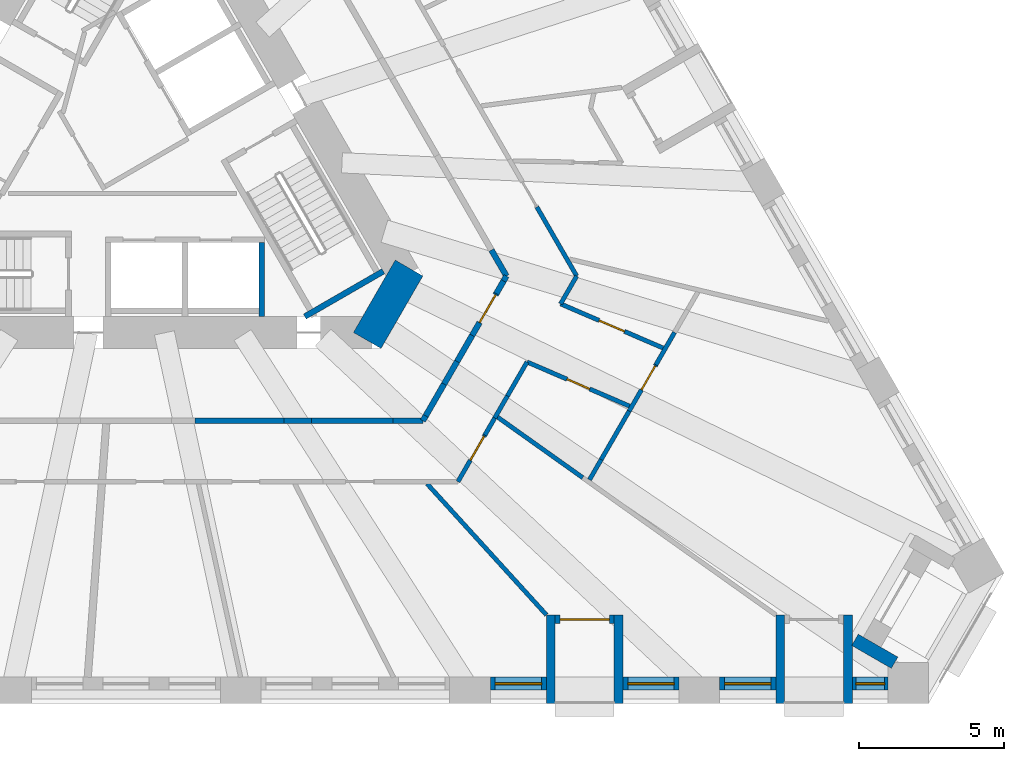
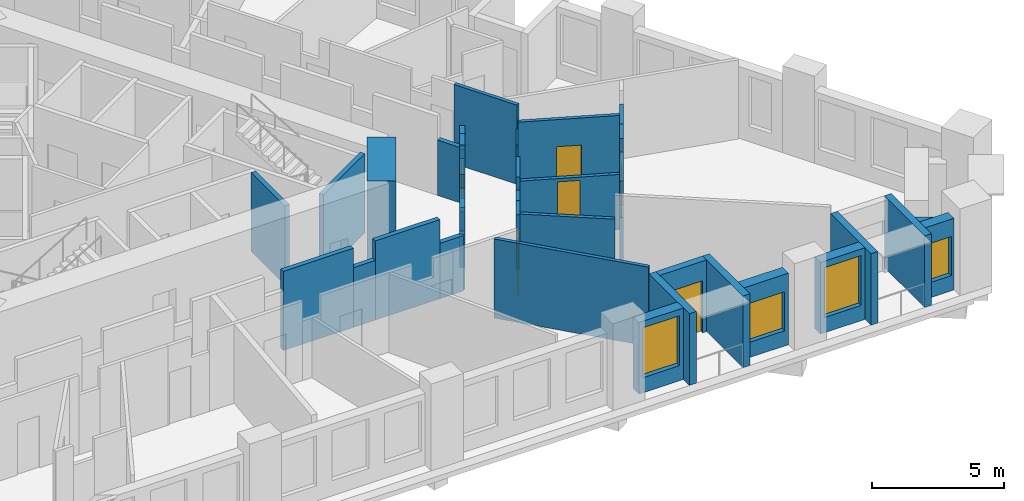
# One storey, part 6 of 14: 39 walls, 6 doors, 4 windows, 10 openings.
"""IFC4 building model written with IfcOpenShell, lengths in metres."""

from ifc_helpers import new_model, si_unit, direction, frame, frame_2d, origin, place, context, subcontext, project, spatial, polyline, rectangle, outline, extrude, material, layer, layer_set, type_object, element, fill, save


model = new_model("IFC4")

# Units and contexts
model_context = context("Model", 3, precision=1e-05, world=origin(), true_north=direction((0.0, 1.0)))
body_context = subcontext(model_context, "Body", "Model", "MODEL_VIEW")
ifc_project = project(units=[si_unit("LENGTHUNIT", "METRE"), si_unit("AREAUNIT", "SQUARE_METRE"), si_unit("VOLUMEUNIT", "CUBIC_METRE"), si_unit("PLANEANGLEUNIT", "RADIAN"), si_unit("MASSUNIT", "GRAM", prefix="KILO")], contexts=[model_context])

# Site, building, storey
site_placement = place(None, origin())
site = spatial("IfcSite", under=ifc_project, at=site_placement, CompositionType="ELEMENT")
building_placement = place(site_placement, origin())
building = spatial("IfcBuilding", under=site, at=building_placement, Name="Tramontana Tower", CompositionType="ELEMENT")
storey_placement = place(building_placement, frame((0.0, 0.0, 34.0)))
storey = spatial("IfcBuildingStorey", under=building, at=storey_placement, Name="L06", CompositionType="ELEMENT", Elevation=34.0)

# Walls
ifc_material_1 = material(Name="Concrete 70 MPa", Category="concrete")
ifc_layer_1 = layer(ifc_material_1, 1.10009765625)
ifc_layer_set_1 = layer_set([ifc_layer_1], Name="Core wall 1100 70 MPa")
wall_type_1 = type_object("IfcWallType", Name="Core wall 1100 70 MPa", PredefinedType="SHEAR", material=ifc_layer_set_1)
wall_1_placement = place(storey_placement, frame((8.328369140625, -6.47509765625, 0.0), z_axis=(0.0, 0.0, 1.0), x_axis=(0.499995765644, 0.866027848477, 0.0)))
element("IfcWall", 1, at=wall_1_placement, inside=storey, type_object=wall_type_1, Name="Core wall C4 L06", PredefinedType="SHEAR", context=body_context, shape_type="SweptSolid", body=[
    extrude(rectangle(XDim=2.88671875, YDim=1.10009765625, at=frame_2d((1.443359375, 0.0))), origin(), (0.0, 0.0, 1.0), 4.0),
])
ifc_material_2 = material(Name="Blockwork", Category="masonry")
ifc_layer_2 = layer(ifc_material_2, 0.199951171875)
ifc_layer_set_2 = layer_set([ifc_layer_2], Name="ENTRY WALL 200")
wall_type_2 = type_object("IfcWallType", Name="ENTRY WALL 200", PredefinedType="SOLIDWALL", material=ifc_layer_set_2)
wall_2_placement = place(storey_placement, frame((12.616943359375, -3.353515625, 0.0), z_axis=(0.0, 0.0, 1.0), x_axis=(0.500171514983, -0.865926356915, 0.0)))
element("IfcWall", 2, at=wall_2_placement, inside=storey, type_object=wall_type_2, Name="Wall v01-ew0-10", PredefinedType="SOLIDWALL", context=body_context, shape_type="SweptSolid", body=[
    extrude(rectangle(XDim=1.035400390625, YDim=0.199951171875, at=frame_2d((0.517578125, 0.0))), origin(), (0.0, 0.0, 1.0), 2.550048828125),
])
wall_3_placement = place(storey_placement, frame((13.134765625, -4.25, 0.0), z_axis=(0.0, 0.0, 1.0), x_axis=(-0.499865263774, -0.866103179807, 0.0)))
element("IfcWall", 3, at=wall_3_placement, inside=storey, type_object=wall_type_2, Name="Wall v01-ew1-0", PredefinedType="SOLIDWALL", context=body_context, shape_type="SweptSolid", body=[
    extrude(rectangle(XDim=0.197265625, YDim=0.199951171875, at=frame_2d((0.0986328125, 0.0))), origin(), (0.0, 0.0, 1.0), 2.550048828125),
])
wall_4_placement = place(storey_placement, frame((13.0361328125, -4.4208984375, 0.0), z_axis=(0.0, 0.0, 1.0), x_axis=(-0.499931517724, -0.866064938435, 0.0)))
element("IfcWall", 4, at=wall_4_placement, inside=storey, type_object=wall_type_2, Name="Wall v01-ew1-1", PredefinedType="SOLIDWALL", context=body_context, shape_type="SweptSolid", body=[
    extrude(rectangle(XDim=0.50537109375, YDim=0.199951171875, at=frame_2d((0.252685546875, 0.0))), origin(), (0.0, 0.0, 1.0), 3.64990234375),
])

# Wall, opening, door
wall_5_placement = place(storey_placement, frame((11.951416015625, -6.29931640625, 0.0), z_axis=(0.0, 0.0, 1.0), x_axis=(0.50011622646, 0.865958290007, 0.0)))
wall_5 = element("IfcWall", 5, at=wall_5_placement, inside=storey, type_object=wall_type_2, Name="Wall v01-ew1-2", PredefinedType="SOLIDWALL", context=body_context, shape_type="SweptSolid", body=[
    extrude(outline(polyline([(0.0, 0.0), (1.66357421875, 0.0), (1.663818359375, 3.64990234375), (0.90234375, 3.64990234375), (0.90234375, 2.550048828125), (0.0, 2.550048828125), (0.0, 0.0)])), frame((0.0, 0.10009765625, 0.0), z_axis=(0.0, -1.0, 0.0), x_axis=(1.0, 0.0, 0.0)), (0.0, 0.0, 1.0), 0.199951171875),
])
opening_1_placement = place(wall_5_placement, frame((0.513671875, 0.0, 0.0)))
opening_1 = element("IfcOpeningElement", 6, at=opening_1_placement, cuts=wall_5, Name="Opening B0B-36", PredefinedType="OPENING", context=body_context, shape_type="SweptSolid", body=[
    extrude(rectangle(XDim=1.10009765625, YDim=2.39990234375, at=frame_2d((0.550048828125, 1.199951171875))), frame((0.0, 0.10986328125, 0.0), z_axis=(0.0, -1.0, 0.0), x_axis=(1.0, 0.0, 0.0)), (0.0, 0.0, 1.0), 0.219970703125),
])
ifc_material_3 = material(Name="Painted timber", Category="wood")
door_type_1 = type_object("IfcDoorType", Name="DOOR ENTRY 1100", OperationType="SINGLE_SWING_LEFT", PredefinedType="DOOR", material=ifc_material_3)
door_1_placement = place(opening_1_placement, origin())
door_1 = element("IfcDoor", 7, at=door_1_placement, inside=storey, type_object=door_type_1, Name="Door B0B-36", OperationType="SINGLE_SWING_RIGHT", OverallHeight=2.39990234375, OverallWidth=1.10009765625, PredefinedType="DOOR", context=body_context, shape_type="SweptSolid", body=[
    extrude(rectangle(XDim=1.10009765625, YDim=2.39990234375, at=frame_2d((0.550048828125, 1.199951171875))), frame((0.0, 0.02490234375, 0.0), z_axis=(0.0, -1.0, 0.0), x_axis=(1.0, 0.0, 0.0)), (0.0, 0.0, 1.0), 0.050048828125),
])
fill(opening_1, door_1)

# Walls
wall_6_placement = place(storey_placement, frame((11.951416015625, -6.29931640625, 0.0), z_axis=(0.0, 0.0, 1.0), x_axis=(-0.499898446243, -0.866084027935, 0.0)))
element("IfcWall", 8, at=wall_6_placement, inside=storey, type_object=wall_type_2, Name="Wall v01-ew1-3", PredefinedType="SOLIDWALL", context=body_context, shape_type="SweptSolid", body=[
    extrude(rectangle(XDim=1.040771484375, YDim=0.199951171875, at=frame_2d((0.5205078125, 0.0))), origin(), (0.0, 0.0, 1.0), 3.64990234375),
])
wall_7_placement = place(storey_placement, frame((11.43115234375, -7.20068359375, 0.0), z_axis=(0.0, 0.0, 1.0), x_axis=(-0.500097243556, -0.865969252911, 0.0)))
element("IfcWall", 9, at=wall_7_placement, inside=storey, type_object=wall_type_2, Name="Wall v01-ew1-4", PredefinedType="SOLIDWALL", context=body_context, shape_type="SweptSolid", body=[
    extrude(rectangle(XDim=0.902099609375, YDim=0.199951171875, at=frame_2d((0.451171875, 0.0))), origin(), (0.0, 0.0, 1.0), 2.550048828125),
])
wall_8_placement = place(storey_placement, frame((10.97998046875, -7.98193359375, 0.0), z_axis=(0.0, 0.0, 1.0), x_axis=(-0.499911523785, -0.866076479525, 0.0)))
element("IfcWall", 10, at=wall_8_placement, inside=storey, type_object=wall_type_2, Name="Wall v01-ew1-5", PredefinedType="SOLIDWALL", context=body_context, shape_type="SweptSolid", body=[
    extrude(rectangle(XDim=1.266845703125, YDim=0.199951171875, at=frame_2d((0.63330078125, 0.0))), origin(), (0.0, 0.0, 1.0), 3.64990234375),
])
wall_9_placement = place(storey_placement, frame((10.3466796875, -9.0791015625, 0.0), z_axis=(0.0, 0.0, 1.0), x_axis=(-0.499865263774, -0.866103179807, 0.0)))
element("IfcWall", 11, at=wall_9_placement, inside=storey, type_object=wall_type_2, Name="Wall v01-ew1-6", PredefinedType="SOLIDWALL", context=body_context, shape_type="SweptSolid", body=[
    extrude(rectangle(XDim=0.197265625, YDim=0.199951171875, at=frame_2d((0.0986328125, 0.0))), origin(), (0.0, 0.0, 1.0), 2.550048828125),
])
wall_10_placement = place(storey_placement, frame((10.248046875, -9.25, 0.0), z_axis=(0.0, 0.0, 1.0), x_axis=(-1.0, 0.0, 0.0)))
element("IfcWall", 12, at=wall_10_placement, inside=storey, type_object=wall_type_2, Name="Wall v01-ew2-0", PredefinedType="SOLIDWALL", context=body_context, shape_type="SweptSolid", body=[
    extrude(rectangle(XDim=1.035400390625, YDim=0.199951171875, at=frame_2d((0.517578125, 0.0))), origin(), (0.0, 0.0, 1.0), 2.550048828125),
])
wall_11_placement = place(storey_placement, frame((9.212646484375, -9.25, 0.0), z_axis=(0.0, 0.0, 1.0), x_axis=(-1.0, 0.0, 0.0)))
element("IfcWall", 13, at=wall_11_placement, inside=storey, type_object=wall_type_2, Name="Wall v01-ew2-1", PredefinedType="SOLIDWALL", context=body_context, shape_type="SweptSolid", body=[
    extrude(rectangle(XDim=2.815185546875, YDim=0.199951171875, at=frame_2d((1.40771484375, 0.0))), origin(), (0.0, 0.0, 1.0), 3.64990234375),
])
wall_12_placement = place(storey_placement, frame((6.3974609375, -9.25, 0.0), z_axis=(0.0, 0.0, 1.0), x_axis=(-1.0, 0.0, 0.0)))
element("IfcWall", 14, at=wall_12_placement, inside=storey, type_object=wall_type_2, Name="Wall v01-ew2-2", PredefinedType="SOLIDWALL", context=body_context, shape_type="SweptSolid", body=[
    extrude(rectangle(XDim=0.949951171875, YDim=0.199951171875, at=frame_2d((0.47509765625, 0.0))), origin(), (0.0, 0.0, 1.0), 2.75),
])
wall_13_placement = place(storey_placement, frame((5.447509765625, -9.25, 0.0), z_axis=(0.0, 0.0, 1.0), x_axis=(-1.0, 0.0, 0.0)))
element("IfcWall", 15, at=wall_13_placement, inside=storey, type_object=wall_type_2, Name="Wall v01-ew2-3", PredefinedType="SOLIDWALL", context=body_context, shape_type="SweptSolid", body=[
    extrude(rectangle(XDim=3.064453125, YDim=0.199951171875, at=frame_2d((1.5322265625, 0.0))), origin(), (0.0, 0.0, 1.0), 3.64990234375),
])

# Wall, opening, window
ifc_material_4 = material(Name="Precast concrete 60 MPa", Category="concrete")
ifc_layer_3 = layer(ifc_material_4, 0.449951171875)
ifc_layer_set_3 = layer_set([ifc_layer_3], Name="Precast concrete 60 MPa, 450 mm")
wall_type_3 = type_object("IfcWallType", Name="EW1 Stone-faced precast wall 450", PredefinedType="SOLIDWALL", material=ifc_layer_set_3)
wall_14_placement = place(storey_placement, frame((12.576904296875, -18.324951171875, 0.0), z_axis=(0.0, 0.0, 1.0), x_axis=(1.0, 0.0, 0.0)))
wall_14 = element("IfcWall", 16, at=wall_14_placement, inside=storey, type_object=wall_type_3, Name="External wall L06 face 1 bay 6", PredefinedType="SOLIDWALL", context=body_context, shape_type="SweptSolid", body=[
    extrude(rectangle(XDim=1.939208984375, YDim=0.449951171875, at=frame_2d((0.9697265625, 0.0))), origin(), (0.0, 0.0, 1.0), 3.300048828125),
])
opening_2_placement = place(wall_14_placement, frame((0.169677734375, 0.0, 0.699951171875)))
opening_2 = element("IfcOpeningElement", 17, at=opening_2_placement, cuts=wall_14, Name="Opening M1", PredefinedType="OPENING", context=body_context, shape_type="SweptSolid", body=[
    extrude(rectangle(XDim=1.60009765625, YDim=2.300048828125, at=frame_2d((0.800048828125, 1.14990234375))), frame((0.0, 0.23486328125, 0.0), z_axis=(0.0, -1.0, 0.0), x_axis=(1.0, 0.0, 0.0)), (0.0, 0.0, 1.0), 0.469970703125),
])
ifc_material_5 = material(Name="Aluminum frame, double glazing unit", Category="aluminium")
window_type_1 = type_object("IfcWindowType", Name="M1 Window 1.6 x 2.3", PartitioningType="SINGLE_PANEL", PredefinedType="WINDOW", material=ifc_material_5)
window_1_placement = place(opening_2_placement, origin())
window_1 = element("IfcWindow", 18, at=window_1_placement, inside=storey, type_object=window_type_1, Name="Window M1 L06 face 1 module 16", OverallHeight=2.300048828125, OverallWidth=1.60009765625, PartitioningType="SINGLE_PANEL", PredefinedType="WINDOW", context=body_context, shape_type="SweptSolid", body=[
    extrude(rectangle(XDim=1.60009765625, YDim=2.300048828125, at=frame_2d((0.800048828125, 1.14990234375))), frame((0.0, 0.030029296875, 0.0), z_axis=(0.0, -1.0, 0.0), x_axis=(1.0, 0.0, 0.0)), (0.0, 0.0, 1.0), 0.06005859375),
])
fill(opening_2, window_1)

wall_15_placement = place(storey_placement, frame((17.155517578125, -18.324951171875, 0.0), z_axis=(0.0, 0.0, 1.0), x_axis=(1.0, 0.0, 0.0)))
wall_15 = element("IfcWall", 19, at=wall_15_placement, inside=storey, type_object=wall_type_3, Name="External wall L06 face 1 bay 6", PredefinedType="SOLIDWALL", context=body_context, shape_type="SweptSolid", body=[
    extrude(rectangle(XDim=1.939453125, YDim=0.449951171875, at=frame_2d((0.9697265625, 0.0))), origin(), (0.0, 0.0, 1.0), 3.300048828125),
])
opening_3_placement = place(wall_15_placement, frame((0.169677734375, 0.0, 0.699951171875)))
opening_3 = element("IfcOpeningElement", 20, at=opening_3_placement, cuts=wall_15, Name="Opening M1L", PredefinedType="OPENING", context=body_context, shape_type="SweptSolid", body=[
    extrude(rectangle(XDim=1.60009765625, YDim=1.800048828125, at=frame_2d((0.800048828125, 0.89990234375))), frame((0.0, 0.23486328125, 0.0), z_axis=(0.0, -1.0, 0.0), x_axis=(1.0, 0.0, 0.0)), (0.0, 0.0, 1.0), 0.469970703125),
])
ifc_material_6 = material(Name="Aluminum frame, double glazing unit", Category="aluminium")
window_type_2 = type_object("IfcWindowType", Name="M1L Window 1.6 x 1.8", PartitioningType="SINGLE_PANEL", PredefinedType="WINDOW", material=ifc_material_6)
window_2_placement = place(opening_3_placement, origin())
window_2 = element("IfcWindow", 21, at=window_2_placement, inside=storey, type_object=window_type_2, Name="Window M1L L06 face 1 module 18", OverallHeight=1.800048828125, OverallWidth=1.60009765625, PartitioningType="SINGLE_PANEL", PredefinedType="WINDOW", context=body_context, shape_type="SweptSolid", body=[
    extrude(rectangle(XDim=1.60009765625, YDim=1.800048828125, at=frame_2d((0.800048828125, 0.89990234375))), frame((0.0, 0.030029296875, 0.0), z_axis=(0.0, -1.0, 0.0), x_axis=(1.0, 0.0, 0.0)), (0.0, 0.0, 1.0), 0.06005859375),
])
fill(opening_3, window_2)

wall_16_placement = place(storey_placement, frame((20.494873046875, -18.324951171875, 0.0), z_axis=(0.0, 0.0, 1.0), x_axis=(1.0, 0.0, 0.0)))
wall_16 = element("IfcWall", 22, at=wall_16_placement, inside=storey, type_object=wall_type_3, Name="External wall L06 face 1 bay 7", PredefinedType="SOLIDWALL", context=body_context, shape_type="SweptSolid", body=[
    extrude(rectangle(XDim=1.939208984375, YDim=0.449951171875, at=frame_2d((0.9697265625, 0.0))), origin(), (0.0, 0.0, 1.0), 3.300048828125),
])
opening_4_placement = place(wall_16_placement, frame((0.169677734375, 0.0, 0.699951171875)))
opening_4 = element("IfcOpeningElement", 23, at=opening_4_placement, cuts=wall_16, Name="Opening M1", PredefinedType="OPENING", context=body_context, shape_type="SweptSolid", body=[
    extrude(rectangle(XDim=1.60009765625, YDim=2.300048828125, at=frame_2d((0.800048828125, 1.14990234375))), frame((0.0, 0.23486328125, 0.0), z_axis=(0.0, -1.0, 0.0), x_axis=(1.0, 0.0, 0.0)), (0.0, 0.0, 1.0), 0.469970703125),
])
window_3_placement = place(opening_4_placement, origin())
window_3 = element("IfcWindow", 24, at=window_3_placement, inside=storey, type_object=window_type_1, Name="Window M1 L06 face 1 module 19", OverallHeight=2.300048828125, OverallWidth=1.60009765625, PartitioningType="SINGLE_PANEL", PredefinedType="WINDOW", context=body_context, shape_type="SweptSolid", body=[
    extrude(rectangle(XDim=1.60009765625, YDim=2.300048828125, at=frame_2d((0.800048828125, 1.14990234375))), frame((0.0, 0.030029296875, 0.0), z_axis=(0.0, -1.0, 0.0), x_axis=(1.0, 0.0, 0.0)), (0.0, 0.0, 1.0), 0.06005859375),
])
fill(opening_4, window_3)

wall_17_placement = place(storey_placement, frame((25.073486328125, -18.324951171875, 0.0), z_axis=(0.0, 0.0, 1.0), x_axis=(1.0, 0.0, 0.0)))
wall_17 = element("IfcWall", 25, at=wall_17_placement, inside=storey, type_object=wall_type_3, Name="External wall L06 face 1 bay 7", PredefinedType="SOLIDWALL", context=body_context, shape_type="SweptSolid", body=[
    extrude(rectangle(XDim=1.2392578125, YDim=0.449951171875, at=frame_2d((0.61962890625, 0.0))), origin(), (0.0, 0.0, 1.0), 3.300048828125),
])
opening_5_placement = place(wall_17_placement, frame((0.11962890625, 0.0, 0.699951171875)))
opening_5 = element("IfcOpeningElement", 26, at=opening_5_placement, cuts=wall_17, Name="Opening N1L", PredefinedType="OPENING", context=body_context, shape_type="SweptSolid", body=[
    extrude(rectangle(XDim=1.0, YDim=1.800048828125, at=frame_2d((0.5, 0.89990234375))), frame((0.0, 0.23486328125, 0.0), z_axis=(0.0, -1.0, 0.0), x_axis=(1.0, 0.0, 0.0)), (0.0, 0.0, 1.0), 0.469970703125),
])
ifc_material_7 = material(Name="Aluminum frame, double glazing unit", Category="aluminium")
window_type_3 = type_object("IfcWindowType", Name="N1L Window 1 x 1.8", PartitioningType="SINGLE_PANEL", PredefinedType="WINDOW", material=ifc_material_7)
window_4_placement = place(opening_5_placement, origin())
window_4 = element("IfcWindow", 27, at=window_4_placement, inside=storey, type_object=window_type_3, Name="Window N1L L06 face 1 module 21", OverallHeight=1.800048828125, OverallWidth=1.0, PartitioningType="SINGLE_PANEL", PredefinedType="WINDOW", context=body_context, shape_type="SweptSolid", body=[
    extrude(rectangle(XDim=1.0, YDim=1.800048828125, at=frame_2d((0.5, 0.89990234375))), frame((0.0, 0.030029296875, 0.0), z_axis=(0.0, -1.0, 0.0), x_axis=(1.0, 0.0, 0.0)), (0.0, 0.0, 1.0), 0.06005859375),
])
fill(opening_5, window_4)

# Wall
wall_18_placement = place(storey_placement, frame((26.5341796875, -17.60009765625, 0.0), z_axis=(0.0, 0.0, 1.0), x_axis=(-0.86597962928, 0.500079275387, 0.0)))
element("IfcWall", 28, at=wall_18_placement, inside=storey, type_object=wall_type_3, Name="Corner loggia side wall L06 K02r", PredefinedType="SOLIDWALL", context=body_context, shape_type="SweptSolid", body=[
    extrude(rectangle(XDim=1.579345703125, YDim=0.449951171875, at=frame_2d((0.78955078125, 0.0))), origin(), (0.0, 0.0, 1.0), 2.550048828125),
])

# Wall, opening, door
ifc_material_8 = material(Name="Precast concrete 60 MPa", Category="concrete")
ifc_layer_4 = layer(ifc_material_8, 0.300048828125)
ifc_layer_set_4 = layer_set([ifc_layer_4], Name="LW1 Stone-faced loggia wall 300")
wall_type_4 = type_object("IfcWallType", Name="LW1 Stone-faced loggia wall 300", PredefinedType="SOLIDWALL", material=ifc_layer_set_4)
wall_19_placement = place(storey_placement, frame((14.816162109375, -16.10009765625, 0.0), z_axis=(0.0, 0.0, 1.0), x_axis=(1.0, 0.0, 0.0)))
wall_19 = element("IfcWall", 29, at=wall_19_placement, inside=storey, type_object=wall_type_4, Name="Loggia wall L06 G0S1.16", PredefinedType="SOLIDWALL", context=body_context, shape_type="SweptSolid", body=[
    extrude(rectangle(XDim=2.039306640625, YDim=0.300048828125, at=frame_2d((1.01953125, 0.0))), origin(), (0.0, 0.0, 1.0), 3.300048828125),
])
opening_6_placement = place(wall_19_placement, frame((0.169677734375, 0.0, 0.0)))
opening_6 = element("IfcOpeningElement", 30, at=opening_6_placement, cuts=wall_19, Name="Opening BD-0S1-16", PredefinedType="OPENING", context=body_context, shape_type="SweptSolid", body=[
    extrude(rectangle(XDim=1.699951171875, YDim=2.39990234375, at=frame_2d((0.85009765625, 1.199951171875))), frame((0.0, 0.159912109375, 0.0), z_axis=(0.0, -1.0, 0.0), x_axis=(1.0, 0.0, 0.0)), (0.0, 0.0, 1.0), 0.320068359375),
])
ifc_material_9 = material(Name="Aluminum frame, double glazing unit", Category="aluminium")
door_type_2 = type_object("IfcDoorType", Name="BD1 Sliding door 1.7 x 2.4", OperationType="SLIDING_TO_LEFT", PredefinedType="DOOR", material=ifc_material_9)
door_2_placement = place(opening_6_placement, origin())
door_2 = element("IfcDoor", 31, at=door_2_placement, inside=storey, type_object=door_type_2, Name="Loggia door L06 G0S1.16", OperationType="SLIDING_TO_LEFT", OverallHeight=2.39990234375, OverallWidth=1.699951171875, PredefinedType="DOOR", context=body_context, shape_type="SweptSolid", body=[
    extrude(rectangle(XDim=1.699951171875, YDim=2.39990234375, at=frame_2d((0.85009765625, 1.199951171875))), frame((0.0, 0.02490234375, 0.0), z_axis=(0.0, -1.0, 0.0), x_axis=(1.0, 0.0, 0.0)), (0.0, 0.0, 1.0), 0.050048828125),
])
fill(opening_6, door_2)

# Walls
for number, where, z_axis, x_axis, name in (
    (32, (14.666259765625, -19.0, 0.0), (0.0, 0.0, 1.0), (0.0, 1.0, 0.0), "Loggia return L06 G0S1.16a"),
    (33, (17.005615234375, -19.0, 0.0), (0.0, 0.0, 1.0), (0.0, 1.0, 0.0), "Loggia return L06 G0S1.16b"),
    (34, (22.584228515625, -19.0, 0.0), (0.0, 0.0, 1.0), (0.0, 1.0, 0.0), "Loggia return L06 G0S1.19a"),
    (35, (24.923583984375, -19.0, 0.0), (0.0, 0.0, 1.0), (0.0, 1.0, 0.0), "Loggia return L06 G0S1.19b"),
):
    element("IfcWall", number, at=place(storey_placement, frame(where, z_axis=z_axis, x_axis=x_axis)), inside=storey, type_object=wall_type_4, Name=name, PredefinedType="SOLIDWALL", context=body_context, shape_type="SweptSolid", body=[
        extrude(rectangle(XDim=3.050048828125, YDim=0.300048828125, at=frame_2d((1.52490234375, 0.0))), origin(), (0.0, 0.0, 1.0), 3.300048828125),
    ])
ifc_material_10 = material(Name="Gypsum board partition")
ifc_layer_5 = layer(ifc_material_10, 0.14990234375)
ifc_layer_set_5 = layer_set([ifc_layer_5], Name="PARTITION 150")
wall_type_5 = type_object("IfcWallType", Name="PARTITION 150", PredefinedType="PARTITIONING", material=ifc_layer_set_5)
wall_20_placement = place(storey_placement, frame((14.18408203125, -1.86767578125, 0.0), z_axis=(0.0, 0.0, 1.0), x_axis=(0.500014382217, -0.866017100048, 0.0)))
element("IfcWall", 36, at=wall_20_placement, inside=storey, type_object=wall_type_5, Name="Wall v01-pw35-8", PredefinedType="PARTITIONING", context=body_context, shape_type="SweptSolid", body=[
    extrude(rectangle(XDim=2.7509765625, YDim=0.14990234375, at=frame_2d((1.37548828125, 0.0))), origin(), (0.0, 0.0, 1.0), 3.64990234375),
])
wall_21_placement = place(storey_placement, frame((13.84619140625, -7.217529296875, 0.0), z_axis=(0.0, 0.0, 1.0), x_axis=(-0.499971721724, -0.866041729639, 0.0)))
element("IfcWall", 37, at=wall_21_placement, inside=storey, type_object=wall_type_5, Name="Wall v01-pw48-0", PredefinedType="PARTITIONING", context=body_context, shape_type="SweptSolid", body=[
    extrude(rectangle(XDim=1.3564453125, YDim=0.14990234375, at=frame_2d((0.67822265625, 0.0))), origin(), (0.0, 0.0, 1.0), 3.64990234375),
])
wall_22_placement = place(storey_placement, frame((13.16796875, -8.392333984375, 0.0), z_axis=(0.0, 0.0, 1.0), x_axis=(-0.499850947872, -0.86611144197, 0.0)))
element("IfcWall", 38, at=wall_22_placement, inside=storey, type_object=wall_type_5, Name="Wall v01-pw48-1", PredefinedType="PARTITIONING", context=body_context, shape_type="SweptSolid", body=[
    extrude(rectangle(XDim=0.877197265625, YDim=0.14990234375, at=frame_2d((0.4384765625, 0.0))), origin(), (0.0, 0.0, 1.0), 2.550048828125),
])
wall_23_placement = place(storey_placement, frame((12.7294921875, -9.152099609375, 0.0), z_axis=(0.0, 0.0, 1.0), x_axis=(-0.500187988959, -0.865916841101, 0.0)))
element("IfcWall", 39, at=wall_23_placement, inside=storey, type_object=wall_type_5, Name="Wall v01-pw48-2", PredefinedType="PARTITIONING", context=body_context, shape_type="SweptSolid", body=[
    extrude(rectangle(XDim=0.680908203125, YDim=0.14990234375, at=frame_2d((0.34033203125, 0.0))), origin(), (0.0, 0.0, 1.0), 3.64990234375),
])

# Wall, opening, door
wall_24_placement = place(storey_placement, frame((12.388916015625, -9.74169921875, 0.0), z_axis=(0.0, 0.0, 1.0), x_axis=(-0.499942461466, -0.866058621124, 0.0)))
wall_24 = element("IfcWall", 40, at=wall_24_placement, inside=storey, type_object=wall_type_5, Name="Wall v01-pw48-3", PredefinedType="PARTITIONING", context=body_context, shape_type="SweptSolid", body=[
    extrude(outline(polyline([(0.0, 0.0), (1.857177734375, 0.0), (1.857177734375, 2.550048828125), (0.95068359375, 2.550048828125), (0.95068359375, 3.64990234375), (0.0, 3.64990234375), (0.0, 0.0)])), frame((0.0, 0.074951171875, 0.0), z_axis=(0.0, -1.0, 0.0), x_axis=(1.0, 0.0, 0.0)), (0.0, 0.0, 1.0), 0.14990234375),
])
opening_7_placement = place(wall_24_placement, frame((0.050048828125, 0.0, 0.0)))
opening_7 = element("IfcOpeningElement", 41, at=opening_7_placement, cuts=wall_24, Name="Opening B0B-26", PredefinedType="OPENING", context=body_context, shape_type="SweptSolid", body=[
    extrude(rectangle(XDim=0.949951171875, YDim=2.39990234375, at=frame_2d((0.47509765625, 1.199951171875))), frame((0.0, 0.0849609375, 0.0), z_axis=(0.0, -1.0, 0.0), x_axis=(1.0, 0.0, 0.0)), (0.0, 0.0, 1.0), 0.169921875),
])
ifc_material_11 = material(Name="Painted timber", Category="wood")
door_type_3 = type_object("IfcDoorType", Name="DOOR ROOM 950", OperationType="SINGLE_SWING_LEFT", PredefinedType="DOOR", material=ifc_material_11)
door_3_placement = place(opening_7_placement, origin())
door_3 = element("IfcDoor", 42, at=door_3_placement, inside=storey, type_object=door_type_3, Name="Door B0B-26", OperationType="SINGLE_SWING_RIGHT", OverallHeight=2.39990234375, OverallWidth=0.949951171875, PredefinedType="DOOR", context=body_context, shape_type="SweptSolid", body=[
    extrude(rectangle(XDim=0.949951171875, YDim=2.39990234375, at=frame_2d((0.47509765625, 1.199951171875))), frame((0.0, 0.02490234375, 0.0), z_axis=(0.0, -1.0, 0.0), x_axis=(1.0, 0.0, 0.0)), (0.0, 0.0, 1.0), 0.050048828125),
])
fill(opening_7, door_3)

# Wall
wall_25_placement = place(storey_placement, frame((14.51611328125, -15.949951171875, 0.0), z_axis=(0.0, 0.0, 1.0), x_axis=(-0.673085803797, 0.73956439931, 0.0)))
element("IfcWall", 43, at=wall_25_placement, inside=storey, type_object=wall_type_5, Name="Wall v01-pw49", PredefinedType="PARTITIONING", context=body_context, shape_type="SweptSolid", body=[
    extrude(rectangle(XDim=6.118408203125, YDim=0.14990234375, at=frame_2d((3.05908203125, 0.0))), origin(), (0.0, 0.0, 1.0), 3.64990234375),
])

# Wall, opening, door
wall_26_placement = place(storey_placement, frame((15.004150390625, -5.2119140625, 0.0), z_axis=(0.0, 0.0, 1.0), x_axis=(0.918389227488, -0.395678185946, 0.0)))
wall_26 = element("IfcWall", 44, at=wall_26_placement, inside=storey, type_object=wall_type_5, Name="Wall v01-pw50", PredefinedType="PARTITIONING", context=body_context, shape_type="SweptSolid", body=[
    extrude(rectangle(XDim=3.851318359375, YDim=0.14990234375, at=frame_2d((1.92578125, 0.0))), origin(), (0.0, 0.0, 1.0), 3.64990234375),
])
opening_8_placement = place(wall_26_placement, frame((1.45068359375, 0.0, 0.0)))
opening_8 = element("IfcOpeningElement", 45, at=opening_8_placement, cuts=wall_26, Name="Opening B0B-23", PredefinedType="OPENING", context=body_context, shape_type="SweptSolid", body=[
    extrude(rectangle(XDim=0.949951171875, YDim=2.39990234375, at=frame_2d((0.47509765625, 1.199951171875))), frame((0.0, 0.0849609375, 0.0), z_axis=(0.0, -1.0, 0.0), x_axis=(1.0, 0.0, 0.0)), (0.0, 0.0, 1.0), 0.169921875),
])
door_4_placement = place(opening_8_placement, origin())
door_4 = element("IfcDoor", 46, at=door_4_placement, inside=storey, type_object=door_type_3, Name="Door B0B-23", OperationType="SINGLE_SWING_LEFT", OverallHeight=2.39990234375, OverallWidth=0.949951171875, PredefinedType="DOOR", context=body_context, shape_type="SweptSolid", body=[
    extrude(rectangle(XDim=0.949951171875, YDim=2.39990234375, at=frame_2d((0.47509765625, 1.199951171875))), frame((0.0, 0.02490234375, 0.0), z_axis=(0.0, -1.0, 0.0), x_axis=(1.0, 0.0, 0.0)), (0.0, 0.0, 1.0), 0.050048828125),
])
fill(opening_8, door_4)

# Wall
wall_27_placement = place(storey_placement, frame((15.5595703125, -4.25, 0.0), z_axis=(0.0, 0.0, 1.0), x_axis=(-0.500039553057, -0.866002566612, 0.0)))
element("IfcWall", 47, at=wall_27_placement, inside=storey, type_object=wall_type_5, Name="Wall v01-pw52-0", PredefinedType="PARTITIONING", context=body_context, shape_type="SweptSolid", body=[
    extrude(rectangle(XDim=1.11083984375, YDim=0.14990234375, at=frame_2d((0.555419921875, 0.0))), origin(), (0.0, 0.0, 1.0), 2.550048828125),
])

# Wall, opening, door
wall_28_placement = place(storey_placement, frame((17.38330078125, -8.7412109375, 0.0), z_axis=(0.0, 0.0, 1.0), x_axis=(-0.918412261458, 0.395624718647, 0.0)))
wall_28 = element("IfcWall", 48, at=wall_28_placement, inside=storey, type_object=wall_type_5, Name="Wall v01-pw56-0", PredefinedType="PARTITIONING", context=body_context, shape_type="SweptSolid", body=[
    extrude(rectangle(XDim=3.851318359375, YDim=0.14990234375, at=frame_2d((1.92578125, 0.0))), origin(), (0.0, 0.0, 1.0), 2.550048828125),
])
opening_9_placement = place(wall_28_placement, frame((1.500732421875, 0.0, 0.0)))
opening_9 = element("IfcOpeningElement", 49, at=opening_9_placement, cuts=wall_28, Name="Opening B0B-24", PredefinedType="OPENING", context=body_context, shape_type="SweptSolid", body=[
    extrude(rectangle(XDim=0.85009765625, YDim=2.39990234375, at=frame_2d((0.425048828125, 1.199951171875))), frame((0.0, 0.0849609375, 0.0), z_axis=(0.0, -1.0, 0.0), x_axis=(1.0, 0.0, 0.0)), (0.0, 0.0, 1.0), 0.169921875),
])
ifc_material_12 = material(Name="Painted timber", Category="wood")
door_type_4 = type_object("IfcDoorType", Name="DOOR BATH 850", OperationType="SINGLE_SWING_LEFT", PredefinedType="DOOR", material=ifc_material_12)
door_5_placement = place(opening_9_placement, origin())
door_5 = element("IfcDoor", 50, at=door_5_placement, inside=storey, type_object=door_type_4, Name="Door B0B-24", OperationType="SINGLE_SWING_RIGHT", OverallHeight=2.39990234375, OverallWidth=0.85009765625, PredefinedType="DOOR", context=body_context, shape_type="SweptSolid", body=[
    extrude(rectangle(XDim=0.85009765625, YDim=2.39990234375, at=frame_2d((0.425048828125, 1.199951171875))), frame((0.0, 0.02490234375, 0.0), z_axis=(0.0, -1.0, 0.0), x_axis=(1.0, 0.0, 0.0)), (0.0, 0.0, 1.0), 0.050048828125),
])
fill(opening_9, door_5)

# Wall
wall_29_placement = place(storey_placement, frame((18.93896484375, -6.196533203125, 0.0), z_axis=(0.0, 0.0, 1.0), x_axis=(-0.499924472688, -0.866069005107, 0.0)))
element("IfcWall", 51, at=wall_29_placement, inside=storey, type_object=wall_type_5, Name="Wall v01-pw57-2", PredefinedType="PARTITIONING", context=body_context, shape_type="SweptSolid", body=[
    extrude(rectangle(XDim=1.290283203125, YDim=0.14990234375, at=frame_2d((0.64501953125, 0.0))), origin(), (0.0, 0.0, 1.0), 3.64990234375),
])

# Wall, opening, door
wall_30_placement = place(storey_placement, frame((18.2939453125, -7.31396484375, 0.0), z_axis=(0.0, 0.0, 1.0), x_axis=(-0.499989263917, -0.866031602176, 0.0)))
wall_30 = element("IfcWall", 52, at=wall_30_placement, inside=storey, type_object=wall_type_5, Name="Wall v01-pw57-3", PredefinedType="PARTITIONING", context=body_context, shape_type="SweptSolid", body=[
    extrude(outline(polyline([(0.0, 0.0), (1.84814453125, 0.0), (1.848388671875, 2.550048828125), (0.97119140625, 2.550048828125), (0.97119140625, 3.64990234375), (0.0, 3.64990234375), (0.0, 0.0)])), frame((0.0, 0.074951171875, 0.0), z_axis=(0.0, -1.0, 0.0), x_axis=(1.0, 0.0, 0.0)), (0.0, 0.0, 1.0), 0.14990234375),
])
opening_10_placement = place(wall_30_placement, frame((0.050048828125, 0.0, 0.0)))
opening_10 = element("IfcOpeningElement", 53, at=opening_10_placement, cuts=wall_30, Name="Opening B0B-25", PredefinedType="OPENING", context=body_context, shape_type="SweptSolid", body=[
    extrude(rectangle(XDim=0.949951171875, YDim=2.39990234375, at=frame_2d((0.47509765625, 1.199951171875))), frame((0.0, 0.0849609375, 0.0), z_axis=(0.0, -1.0, 0.0), x_axis=(1.0, 0.0, 0.0)), (0.0, 0.0, 1.0), 0.169921875),
])
door_6_placement = place(opening_10_placement, origin())
door_6 = element("IfcDoor", 54, at=door_6_placement, inside=storey, type_object=door_type_3, Name="Door B0B-25", OperationType="SINGLE_SWING_LEFT", OverallHeight=2.39990234375, OverallWidth=0.949951171875, PredefinedType="DOOR", context=body_context, shape_type="SweptSolid", body=[
    extrude(rectangle(XDim=0.949951171875, YDim=2.39990234375, at=frame_2d((0.47509765625, 1.199951171875))), frame((0.0, 0.02490234375, 0.0), z_axis=(0.0, -1.0, 0.0), x_axis=(1.0, 0.0, 0.0)), (0.0, 0.0, 1.0), 0.050048828125),
])
fill(opening_10, door_6)

# Walls
wall_31_placement = place(storey_placement, frame((17.369873046875, -8.91455078125, 0.0), z_axis=(0.0, 0.0, 1.0), x_axis=(-0.499963437846, -0.866046511925, 0.0)))
element("IfcWall", 55, at=wall_31_placement, inside=storey, type_object=wall_type_5, Name="Wall v01-pw57-4", PredefinedType="PARTITIONING", context=body_context, shape_type="SweptSolid", body=[
    extrude(rectangle(XDim=1.929443359375, YDim=0.14990234375, at=frame_2d((0.96484375, 0.0))), origin(), (0.0, 0.0, 1.0), 3.64990234375),
])
wall_32_placement = place(storey_placement, frame((16.4052734375, -10.58544921875, 0.0), z_axis=(0.0, 0.0, 1.0), x_axis=(-0.500106313205, -0.865964015126, 0.0)))
element("IfcWall", 56, at=wall_32_placement, inside=storey, type_object=wall_type_5, Name="Wall v01-pw57-5", PredefinedType="PARTITIONING", context=body_context, shape_type="SweptSolid", body=[
    extrude(rectangle(XDim=0.807373046875, YDim=0.14990234375, at=frame_2d((0.40380859375, 0.0))), origin(), (0.0, 0.0, 1.0), 2.550048828125),
])
wall_33_placement = place(storey_placement, frame((15.7685546875, -11.2109375, 0.0), z_axis=(0.0, 0.0, 1.0), x_axis=(-0.815013644816, 0.579441764774, 0.0)))
element("IfcWall", 57, at=wall_33_placement, inside=storey, type_object=wall_type_5, Name="Wall v01-pw58-1", PredefinedType="PARTITIONING", context=body_context, shape_type="SweptSolid", body=[
    extrude(rectangle(XDim=3.6025390625, YDim=0.14990234375, at=frame_2d((1.80126953125, 0.0))), origin(), (0.0, 0.0, 1.0), 2.550048828125),
])
ifc_material_13 = material(Name="Concrete 70 MPa", Category="concrete")
ifc_layer_6 = layer(ifc_material_13, 0.199951171875)
ifc_layer_set_6 = layer_set([ifc_layer_6], Name="Concrete 70 MPa, 200 mm")
wall_type_6 = type_object("IfcWallType", Name="RC STAIR AND SHAFT WALL 200", PredefinedType="SOLIDWALL", material=ifc_layer_set_6)
wall_34_placement = place(storey_placement, frame((6.173828125, -5.64990234375, 0.0), z_axis=(0.0, 0.0, 1.0), x_axis=(0.866054327916, 0.499949898588, 0.0)))
element("IfcWall", 58, at=wall_34_placement, inside=storey, type_object=wall_type_6, Name="Wall st3-far", PredefinedType="SOLIDWALL", context=body_context, shape_type="SweptSolid", body=[
    extrude(rectangle(XDim=3.128173828125, YDim=0.199951171875, at=frame_2d((1.56396484375, 0.0))), origin(), (0.0, 0.0, 1.0), 3.64990234375),
])
wall_35_placement = place(storey_placement, frame((4.68994140625, -3.10009765625, 0.0), z_axis=(0.0, 0.0, 1.0), x_axis=(0.0, -1.0, 0.0)))
element("IfcWall", 59, at=wall_35_placement, inside=storey, type_object=wall_type_6, Name="Wall row1-side2", PredefinedType="SOLIDWALL", context=body_context, shape_type="SweptSolid", body=[
    extrude(rectangle(XDim=2.5498046875, YDim=0.199951171875, at=frame_2d((1.27490234375, 0.0))), origin(), (0.0, 0.0, 1.0), 3.64990234375),
])

save(model, "model.ifc")
